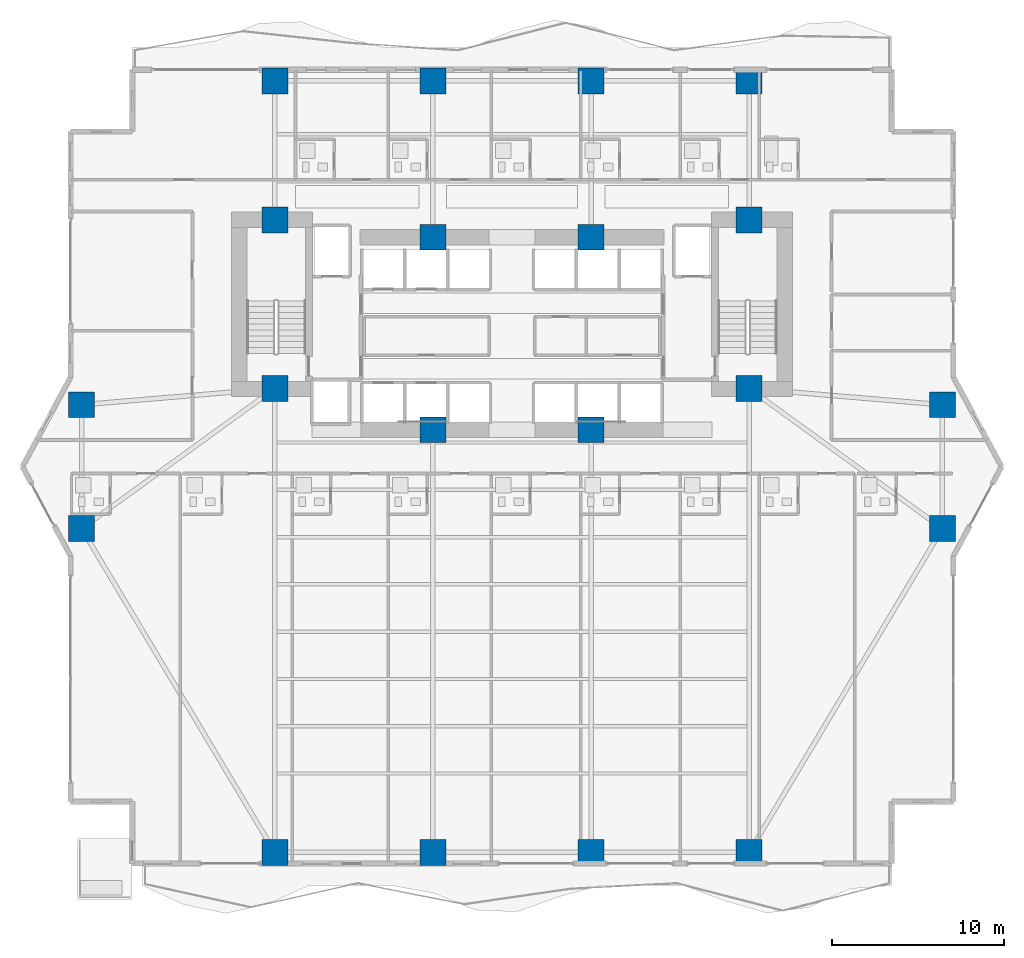
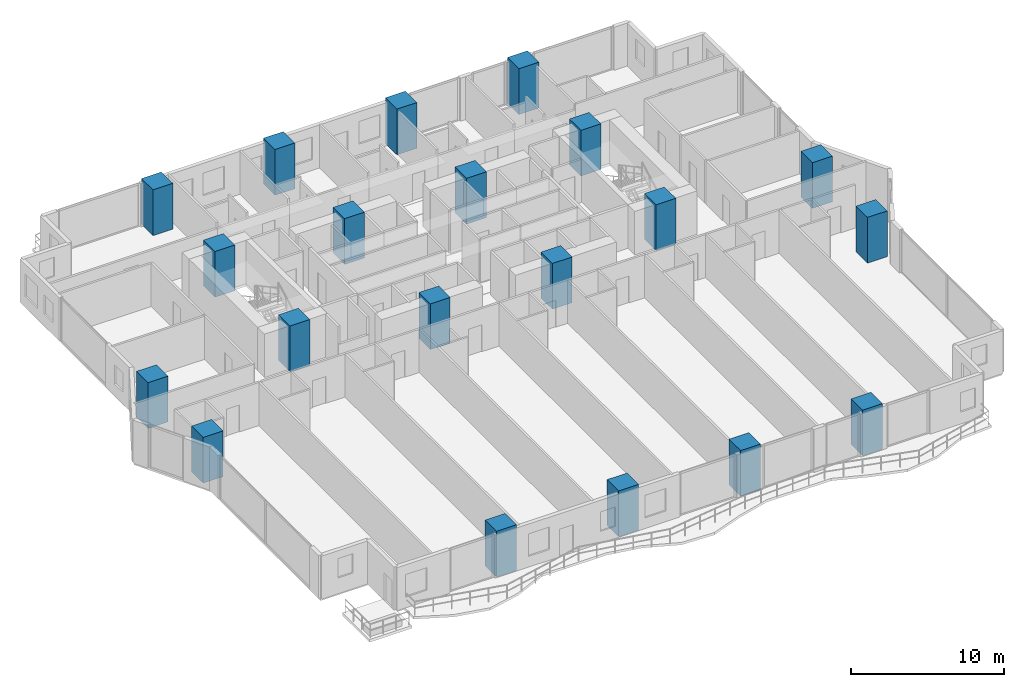
# One storey, part 1 of 28: 20 columns.
"""IFC4 building model written with IfcOpenShell, lengths in metres."""

from ifc_helpers import new_model, si_unit, direction, frame, origin, origin_2d, place, context, subcontext, project, spatial, rectangle, extrude, material, material_profile, profile_set, type_object, element, save


model = new_model("IFC4")

# Units and contexts
model_context = context("Model", 3, precision=1e-05, world=origin(), true_north=direction((0.0, 1.0)))
body_context = subcontext(model_context, "Body", "Model", "MODEL_VIEW")
ifc_project = project(units=[si_unit("LENGTHUNIT", "METRE"), si_unit("AREAUNIT", "SQUARE_METRE"), si_unit("VOLUMEUNIT", "CUBIC_METRE"), si_unit("PLANEANGLEUNIT", "RADIAN"), si_unit("MASSUNIT", "GRAM", prefix="KILO")], contexts=[model_context])

# Site, building, storey
site_placement = place(None, origin())
site = spatial("IfcSite", under=ifc_project, at=site_placement, CompositionType="ELEMENT")
building_placement = place(site_placement, origin())
building = spatial("IfcBuilding", under=site, at=building_placement, Name="Zuhayl Quay Hotel", CompositionType="ELEMENT")
storey_placement = place(building_placement, frame((0.0, 0.0, 31.25)))
storey = spatial("IfcBuildingStorey", under=building, at=storey_placement, Name="L06", CompositionType="ELEMENT", Elevation=31.25)

# Columns
ifc_material = material(Name="Concrete C70/85", Category="concrete")
ifc_material_profile_1 = material_profile(ifc_material, rectangle(XDim=1.5, YDim=1.5, at=origin_2d()), Name="RC1500X1500")
ifc_profile_set_1 = profile_set([ifc_material_profile_1], Name="Concrete C70/85")
column_type_1 = type_object("IfcColumnType", Name="CL_CC1_1500", PredefinedType="COLUMN", material=ifc_profile_set_1)
for number, where, z_axis, x_axis, name in (
    (1, (-13.800048828125, 14.35009765625, 0.0), (0.0, 0.0, 1.0), (1.0, 0.0, 0.0), "L06 Core Column CC_NW"),
    (2, (-4.60009765625, 13.35009765625, 0.0), (0.0, 0.0, 1.0), (1.0, 0.0, 0.0), "L06 Core Column CC_CNW"),
    (3, (4.60009765625, 13.35009765625, 0.0), (0.0, 0.0, 1.0), (1.0, 0.0, 0.0), "L06 Core Column CC_CNE"),
    (4, (13.800048828125, 14.35009765625, 0.0), (0.0, 0.0, 1.0), (1.0, 0.0, 0.0), "L06 Core Column CC_NE"),
    (5, (-13.800048828125, 4.550048828125, 0.0), (0.0, 0.0, 1.0), (1.0, 0.0, 0.0), "L06 Core Column CC_SW"),
    (6, (-4.60009765625, 2.14990234375, 0.0), (0.0, 0.0, 1.0), (1.0, 0.0, 0.0), "L06 Core Column CC_CSW"),
    (7, (4.60009765625, 2.14990234375, 0.0), (0.0, 0.0, 1.0), (1.0, 0.0, 0.0), "L06 Core Column CC_CSE"),
    (8, (13.800048828125, 4.550048828125, 0.0), (0.0, 0.0, 1.0), (1.0, 0.0, 0.0), "L06 Core Column CC_SE"),
):
    element("IfcColumn", number, at=place(storey_placement, frame(where, z_axis=z_axis, x_axis=x_axis)), inside=storey, type_object=column_type_1, Name=name, PredefinedType="COLUMN", context=body_context, shape_type="SweptSolid", body=[
        extrude(rectangle(XDim=1.5, YDim=1.5, at=origin_2d()), origin(), (0.0, 0.0, 1.0), 3.64990234375),
    ])
ifc_material_profile_2 = material_profile(ifc_material, rectangle(XDim=1.5, YDim=1.5, at=origin_2d()), Name="RC1500X1500")
ifc_profile_set_2 = profile_set([ifc_material_profile_2], Name="Concrete C70/85")
column_type_2 = type_object("IfcColumnType", Name="CL_MC1_1500", PredefinedType="COLUMN", material=ifc_profile_set_2)
for number, where, z_axis, x_axis, name in (
    (9, (-13.800048828125, -22.449951171875, 0.0), (0.0, 0.0, 1.0), (1.0, 0.0, 0.0), "L06 Mega-Column MC_S1"),
    (10, (-4.60009765625, -22.449951171875, 0.0), (0.0, 0.0, 1.0), (1.0, 0.0, 0.0), "L06 Mega-Column MC_S2"),
    (11, (4.60009765625, -22.449951171875, 0.0), (0.0, 0.0, 1.0), (1.0, 0.0, 0.0), "L06 Mega-Column MC_S3"),
    (12, (13.800048828125, -22.449951171875, 0.0), (0.0, 0.0, 1.0), (1.0, 0.0, 0.0), "L06 Mega-Column MC_S4"),
    (13, (-13.800048828125, 22.449951171875, 0.0), (0.0, 0.0, 1.0), (1.0, 0.0, 0.0), "L06 Mega-Column MC_N1"),
    (14, (-4.60009765625, 22.449951171875, 0.0), (0.0, 0.0, 1.0), (1.0, 0.0, 0.0), "L06 Mega-Column MC_N2"),
    (15, (4.60009765625, 22.449951171875, 0.0), (0.0, 0.0, 1.0), (1.0, 0.0, 0.0), "L06 Mega-Column MC_N3"),
    (16, (13.800048828125, 22.449951171875, 0.0), (0.0, 0.0, 1.0), (1.0, 0.0, 0.0), "L06 Mega-Column MC_N4"),
    (17, (-25.050048828125, -3.60009765625, 0.0), (0.0, 0.0, 1.0), (1.0, 0.0, 0.0), "L06 Mega-Column MC_W1"),
    (18, (-25.050048828125, 3.60009765625, 0.0), (0.0, 0.0, 1.0), (1.0, 0.0, 0.0), "L06 Mega-Column MC_W2"),
    (19, (25.050048828125, -3.60009765625, 0.0), (0.0, 0.0, 1.0), (1.0, 0.0, 0.0), "L06 Mega-Column MC_E1"),
    (20, (25.050048828125, 3.60009765625, 0.0), (0.0, 0.0, 1.0), (1.0, 0.0, 0.0), "L06 Mega-Column MC_E2"),
):
    element("IfcColumn", number, at=place(storey_placement, frame(where, z_axis=z_axis, x_axis=x_axis)), inside=storey, type_object=column_type_2, Name=name, PredefinedType="COLUMN", context=body_context, shape_type="SweptSolid", body=[
        extrude(rectangle(XDim=1.5, YDim=1.5, at=origin_2d()), origin(), (0.0, 0.0, 1.0), 3.64990234375),
    ])

save(model, "model.ifc")
